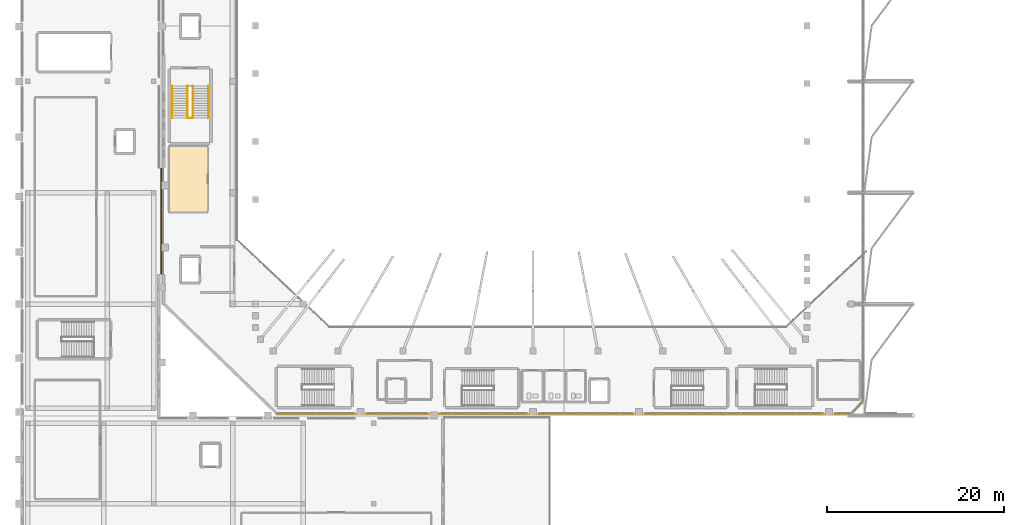
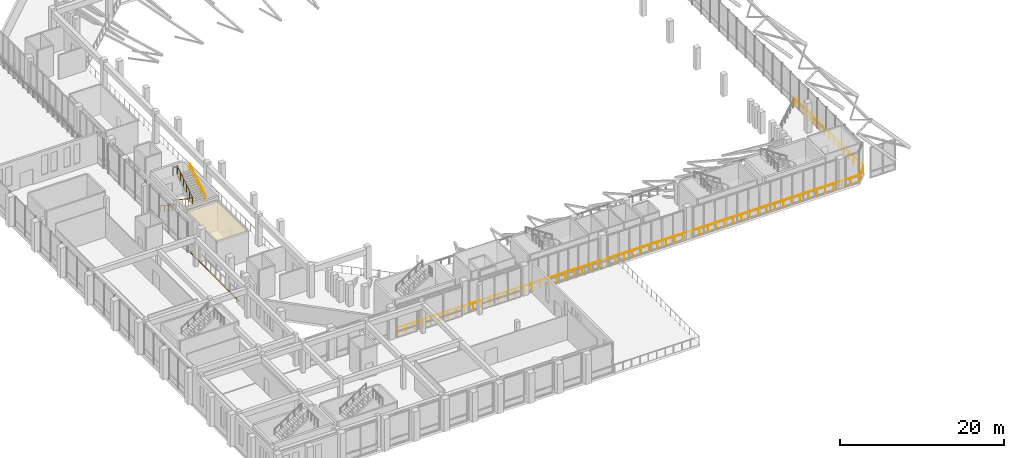
# One storey, part 72 of 79: 4 railings, 2 coverings.
"""IFC4 building model written with IfcOpenShell, lengths in metres."""

from ifc_helpers import new_model, si_unit, derived_unit, direction, frame, origin, origin_2d, place, context, subcontext, project, spatial, polyline, circle, outline, extrude, material, layer, layer_set, type_object, element, save


model = new_model("IFC4")

# Units and contexts
model_context = context("Model", 3, precision=1e-05, world=origin(), true_north=direction((0.0, 1.0)))
body_context = subcontext(model_context, "Body", "Model", "MODEL_VIEW")
ifc_project = project(units=[si_unit("LENGTHUNIT", "METRE"), si_unit("AREAUNIT", "SQUARE_METRE"), si_unit("VOLUMEUNIT", "CUBIC_METRE"), si_unit("PLANEANGLEUNIT", "RADIAN"), si_unit("MASSUNIT", "GRAM", prefix="KILO"), derived_unit("THERMALTRANSMITTANCEUNIT", [(si_unit("MASSUNIT", "GRAM", prefix="KILO"), 1), (si_unit("TIMEUNIT", "SECOND"), -3), (si_unit("THERMODYNAMICTEMPERATUREUNIT", "KELVIN"), -1)])], contexts=[model_context])

# Site, building, storey
site_placement = place(None, origin())
site = spatial("IfcSite", under=ifc_project, at=site_placement, CompositionType="ELEMENT")
building_placement = place(site_placement, origin())
building = spatial("IfcBuilding", under=site, at=building_placement, Name="Valcora Ridge Arena", CompositionType="ELEMENT")
storey_placement = place(building_placement, frame((0.0, 0.0, 16.199951171875)))
storey = spatial("IfcBuildingStorey", under=building, at=storey_placement, Name="L03", CompositionType="ELEMENT", Elevation=16.199951171875)

# Coverings
ifc_material_1 = material(Name="Perforated mineral-wool acoustic ceiling baffle tile")
ifc_layer_1 = layer(ifc_material_1, 0.0400390625, Name="Perforated mineral-wool acoustic ceiling baffle tile")
ifc_layer_set_1 = layer_set([ifc_layer_1], Name="Perforated mineral-wool acoustic ceiling baffle tile")
covering_type_1 = type_object("IfcCoveringType", Name="TY-COVERING-CLG-ACOUSTIC-600", PredefinedType="CEILING", material=ifc_layer_set_1)
covering_1_placement = place(storey_placement, frame((0.0, 0.0, 4.090087890625)))
element("IfcCovering", 1, at=covering_1_placement, inside=storey, type_object=covering_type_1, Name="CLG-ACOUSTIC-600 COV-CL-0005", PredefinedType="CEILING", context=body_context, shape_type="SweptSolid", body=[
    extrude(outline(polyline([(16.800048828125, 43.0), (21.199951171875, 43.0), (21.199951171875, 50.5), (16.800048828125, 50.5), (16.800048828125, 43.0)])), origin(), (0.0, 0.0, 1.0), 0.0400390625),
])
ifc_material_2 = material(Name="Steel ASTM A572 Grade 50", Category="steel")
ifc_layer_2 = layer(ifc_material_2, 0.02001953125, Name="Steel ASTM A572 Grade 50")
ifc_layer_set_2 = layer_set([ifc_layer_2], Name="Steel ASTM A572 Grade 50")
covering_type_2 = type_object("IfcCoveringType", Name="TY-COVERING-COV-SJ-150", PredefinedType="FLOORING", material=ifc_layer_set_2)
covering_2_placement = place(storey_placement, frame((0.0, 0.0, -0.02001953125)))
element("IfcCovering", 2, at=covering_2_placement, inside=storey, type_object=covering_type_2, Name="COV-SJ-150 COV-SJ-0008", PredefinedType="FLOORING", context=body_context, shape_type="SweptSolid", body=[
    extrude(outline(polyline([(15.85009765625, 36.0), (16.0, 36.0), (16.0, 48.0), (15.85009765625, 48.0), (15.85009765625, 36.0)])), origin(), (0.0, 0.0, 1.0), 0.02001953125),
])

# Railings
ifc_material_3 = material(Name="Galvanized painted steel ASTM A500 Grade B", Category="steel")
railing_type_1 = type_object("IfcRailingType", Name="TY-RAILING-GRD-STAIR-1120", PredefinedType="GUARDRAIL", material=ifc_material_3)
railing_1_placement = place(storey_placement, frame((18.89990234375, 57.2900390625, 0.0)))
element("IfcRailing", 3, at=railing_1_placement, inside=storey, type_object=railing_type_1, Name="GRD-STAIR-1120 RAL-SG-0053", PredefinedType="GUARDRAIL", context=body_context, shape_type="SweptSolid", body=[
    extrude(circle(Radius=0.02392578125, at=origin_2d()), frame((0.0, 0.0, 1.09619140625), z_axis=(0.0, -0.834856447115, 0.55046772177), x_axis=(1.0, 0.0, 0.0)), (0.0, 0.0, 1.0), 4.360107421875),
    extrude(circle(Radius=0.02392578125, at=origin_2d()), frame((0.0, -3.64013671875, 3.49609375), z_axis=(1.0, 0.0, 0.0), x_axis=(0.0, 1.0, 0.0)), (0.0, 0.0, 1.0), 0.60009765625),
    extrude(circle(Radius=0.02392578125, at=origin_2d()), frame((0.60009765625, -3.64013671875, 3.49609375), z_axis=(0.0, 0.83488217925, 0.55042869363), x_axis=(-1.0, 0.0, 0.0)), (0.0, 0.0, 1.0), 4.360107421875),
    extrude(circle(Radius=0.02099609375, at=origin_2d()), origin(), (0.0, 0.0, 1.0), 1.072021484375),
    extrude(circle(Radius=0.02099609375, at=origin_2d()), frame((0.0, -0.72802734375, 0.47998046875)), (0.0, 0.0, 1.0), 1.072021484375),
    extrude(circle(Radius=0.02099609375, at=origin_2d()), frame((0.0, -1.4560546875, 0.9599609375)), (0.0, 0.0, 1.0), 1.072021484375),
    extrude(circle(Radius=0.02099609375, at=origin_2d()), frame((0.0, -2.18408203125, 1.440185546875)), (0.0, 0.0, 1.0), 1.072021484375),
    extrude(circle(Radius=0.02099609375, at=origin_2d()), frame((0.0, -2.912109375, 1.920166015625)), (0.0, 0.0, 1.0), 1.072021484375),
    extrude(circle(Radius=0.02099609375, at=origin_2d()), frame((0.0, -3.64013671875, 2.400146484375)), (0.0, 0.0, 1.0), 1.072021484375),
    extrude(circle(Radius=0.02099609375, at=origin_2d()), frame((0.60009765625, -3.64013671875, 2.400146484375)), (0.0, 0.0, 1.0), 1.072021484375),
    extrude(circle(Radius=0.02099609375, at=origin_2d()), frame((0.60009765625, -2.912109375, 2.880126953125)), (0.0, 0.0, 1.0), 1.072021484375),
    extrude(circle(Radius=0.02099609375, at=origin_2d()), frame((0.60009765625, -2.18408203125, 3.360107421875)), (0.0, 0.0, 1.0), 1.072021484375),
    extrude(circle(Radius=0.02099609375, at=origin_2d()), frame((0.60009765625, -1.4560546875, 3.840087890625)), (0.0, 0.0, 1.0), 1.072021484375),
    extrude(circle(Radius=0.02099609375, at=origin_2d()), frame((0.60009765625, -0.72802734375, 4.320068359375)), (0.0, 0.0, 1.0), 1.072021484375),
    extrude(circle(Radius=0.02099609375, at=origin_2d()), frame((0.60009765625, 0.0, 4.800048828125)), (0.0, 0.0, 1.0), 1.072021484375),
])
railing_type_2 = type_object("IfcRailingType", Name="TY-RAILING-GRD-VOID-1120", PredefinedType="GUARDRAIL", material=ifc_material_3)
railing_2_placement = place(storey_placement, frame((95.3798828125, 38.030029296875, 0.0)))
element("IfcRailing", 4, at=railing_2_placement, inside=storey, type_object=railing_type_2, Name="GRD-VOID-1120 RAL-DK-0010", PredefinedType="GUARDRAIL", context=body_context, shape_type="SweptSolid", body=[
    extrude(circle(Radius=0.02392578125, at=origin_2d()), frame((0.0, 0.0, 1.09619140625), z_axis=(0.0, -1.0, 0.0), x_axis=(1.0, 0.0, 0.0)), (0.0, 0.0, 1.0), 16.525390625),
    extrude(circle(Radius=0.02392578125, at=origin_2d()), frame((0.0, -16.525390625, 1.09619140625), z_axis=(-0.718065788084, -0.695975232306, 0.0), x_axis=(0.695975232306, -0.718065788084, 0.0)), (0.0, 0.0, 1.0), 1.9892578125),
    extrude(circle(Radius=0.02392578125, at=origin_2d()), frame((-1.428466796875, -17.909912109375, 1.09619140625), z_axis=(-1.0, 0.0, 0.0), x_axis=(0.0, -1.0, 0.0)), (0.0, 0.0, 1.0), 64.90283203125),
    extrude(circle(Radius=0.02099609375, at=origin_2d()), origin(), (0.0, 0.0, 1.0), 1.072021484375),
    extrude(circle(Radius=0.02099609375, at=origin_2d()), frame((0.0, -1.180419921875, 0.0)), (0.0, 0.0, 1.0), 1.072021484375),
    extrude(circle(Radius=0.02099609375, at=origin_2d()), frame((0.0, -2.36083984375, 0.0)), (0.0, 0.0, 1.0), 1.072021484375),
    extrude(circle(Radius=0.02099609375, at=origin_2d()), frame((0.0, -3.541259765625, 0.0)), (0.0, 0.0, 1.0), 1.072021484375),
    extrude(circle(Radius=0.02099609375, at=origin_2d()), frame((0.0, -4.721435546875, 0.0)), (0.0, 0.0, 1.0), 1.072021484375),
    extrude(circle(Radius=0.02099609375, at=origin_2d()), frame((0.0, -5.90185546875, 0.0)), (0.0, 0.0, 1.0), 1.072021484375),
    extrude(circle(Radius=0.02099609375, at=origin_2d()), frame((0.0, -7.082275390625, 0.0)), (0.0, 0.0, 1.0), 1.072021484375),
    extrude(circle(Radius=0.02099609375, at=origin_2d()), frame((0.0, -8.2626953125, 0.0)), (0.0, 0.0, 1.0), 1.072021484375),
    extrude(circle(Radius=0.02099609375, at=origin_2d()), frame((0.0, -9.443115234375, 0.0)), (0.0, 0.0, 1.0), 1.072021484375),
    extrude(circle(Radius=0.02099609375, at=origin_2d()), frame((0.0, -10.62353515625, 0.0)), (0.0, 0.0, 1.0), 1.072021484375),
    extrude(circle(Radius=0.02099609375, at=origin_2d()), frame((0.0, -11.803955078125, 0.0)), (0.0, 0.0, 1.0), 1.072021484375),
    extrude(circle(Radius=0.02099609375, at=origin_2d()), frame((0.0, -12.984130859375, 0.0)), (0.0, 0.0, 1.0), 1.072021484375),
    extrude(circle(Radius=0.02099609375, at=origin_2d()), frame((0.0, -14.16455078125, 0.0)), (0.0, 0.0, 1.0), 1.072021484375),
    extrude(circle(Radius=0.02099609375, at=origin_2d()), frame((0.0, -15.344970703125, 0.0)), (0.0, 0.0, 1.0), 1.072021484375),
    extrude(circle(Radius=0.02099609375, at=origin_2d()), frame((0.0, -16.525390625, 0.0)), (0.0, 0.0, 1.0), 1.072021484375),
    extrude(circle(Radius=0.02099609375, at=origin_2d()), frame((-0.71435546875, -17.2177734375, 0.0)), (0.0, 0.0, 1.0), 1.072021484375),
    extrude(circle(Radius=0.02099609375, at=origin_2d()), frame((-1.428466796875, -17.909912109375, 0.0)), (0.0, 0.0, 1.0), 1.072021484375),
    extrude(circle(Radius=0.02099609375, at=origin_2d()), frame((-2.6083984375, -17.909912109375, 0.0)), (0.0, 0.0, 1.0), 1.072021484375),
    extrude(circle(Radius=0.02099609375, at=origin_2d()), frame((-3.78857421875, -17.909912109375, 0.0)), (0.0, 0.0, 1.0), 1.072021484375),
    extrude(circle(Radius=0.02099609375, at=origin_2d()), frame((-4.968505859375, -17.909912109375, 0.0)), (0.0, 0.0, 1.0), 1.072021484375),
    extrude(circle(Radius=0.02099609375, at=origin_2d()), frame((-6.148681640625, -17.909912109375, 0.0)), (0.0, 0.0, 1.0), 1.072021484375),
    extrude(circle(Radius=0.02099609375, at=origin_2d()), frame((-7.32861328125, -17.909912109375, 0.0)), (0.0, 0.0, 1.0), 1.072021484375),
    extrude(circle(Radius=0.02099609375, at=origin_2d()), frame((-8.5087890625, -17.909912109375, 0.0)), (0.0, 0.0, 1.0), 1.072021484375),
    extrude(circle(Radius=0.02099609375, at=origin_2d()), frame((-9.688720703125, -17.909912109375, 0.0)), (0.0, 0.0, 1.0), 1.072021484375),
    extrude(circle(Radius=0.02099609375, at=origin_2d()), frame((-10.868896484375, -17.909912109375, 0.0)), (0.0, 0.0, 1.0), 1.072021484375),
    extrude(circle(Radius=0.02099609375, at=origin_2d()), frame((-12.048828125, -17.909912109375, 0.0)), (0.0, 0.0, 1.0), 1.072021484375),
    extrude(circle(Radius=0.02099609375, at=origin_2d()), frame((-13.22900390625, -17.909912109375, 0.0)), (0.0, 0.0, 1.0), 1.072021484375),
    extrude(circle(Radius=0.02099609375, at=origin_2d()), frame((-14.408935546875, -17.909912109375, 0.0)), (0.0, 0.0, 1.0), 1.072021484375),
    extrude(circle(Radius=0.02099609375, at=origin_2d()), frame((-15.589111328125, -17.909912109375, 0.0)), (0.0, 0.0, 1.0), 1.072021484375),
    extrude(circle(Radius=0.02099609375, at=origin_2d()), frame((-16.76904296875, -17.909912109375, 0.0)), (0.0, 0.0, 1.0), 1.072021484375),
    extrude(circle(Radius=0.02099609375, at=origin_2d()), frame((-17.94921875, -17.909912109375, 0.0)), (0.0, 0.0, 1.0), 1.072021484375),
    extrude(circle(Radius=0.02099609375, at=origin_2d()), frame((-19.129150390625, -17.909912109375, 0.0)), (0.0, 0.0, 1.0), 1.072021484375),
    extrude(circle(Radius=0.02099609375, at=origin_2d()), frame((-20.309326171875, -17.909912109375, 0.0)), (0.0, 0.0, 1.0), 1.072021484375),
    extrude(circle(Radius=0.02099609375, at=origin_2d()), frame((-21.4892578125, -17.909912109375, 0.0)), (0.0, 0.0, 1.0), 1.072021484375),
    extrude(circle(Radius=0.02099609375, at=origin_2d()), frame((-22.66943359375, -17.909912109375, 0.0)), (0.0, 0.0, 1.0), 1.072021484375),
    extrude(circle(Radius=0.02099609375, at=origin_2d()), frame((-23.849365234375, -17.909912109375, 0.0)), (0.0, 0.0, 1.0), 1.072021484375),
    extrude(circle(Radius=0.02099609375, at=origin_2d()), frame((-25.029541015625, -17.909912109375, 0.0)), (0.0, 0.0, 1.0), 1.072021484375),
    extrude(circle(Radius=0.02099609375, at=origin_2d()), frame((-26.20947265625, -17.909912109375, 0.0)), (0.0, 0.0, 1.0), 1.072021484375),
    extrude(circle(Radius=0.02099609375, at=origin_2d()), frame((-27.3896484375, -17.909912109375, 0.0)), (0.0, 0.0, 1.0), 1.072021484375),
    extrude(circle(Radius=0.02099609375, at=origin_2d()), frame((-28.569580078125, -17.909912109375, 0.0)), (0.0, 0.0, 1.0), 1.072021484375),
    extrude(circle(Radius=0.02099609375, at=origin_2d()), frame((-29.749755859375, -17.909912109375, 0.0)), (0.0, 0.0, 1.0), 1.072021484375),
    extrude(circle(Radius=0.02099609375, at=origin_2d()), frame((-30.9296875, -17.909912109375, 0.0)), (0.0, 0.0, 1.0), 1.072021484375),
    extrude(circle(Radius=0.02099609375, at=origin_2d()), frame((-32.10986328125, -17.909912109375, 0.0)), (0.0, 0.0, 1.0), 1.072021484375),
    extrude(circle(Radius=0.02099609375, at=origin_2d()), frame((-33.289794921875, -17.909912109375, 0.0)), (0.0, 0.0, 1.0), 1.072021484375),
    extrude(circle(Radius=0.02099609375, at=origin_2d()), frame((-34.469970703125, -17.909912109375, 0.0)), (0.0, 0.0, 1.0), 1.072021484375),
    extrude(circle(Radius=0.02099609375, at=origin_2d()), frame((-35.64990234375, -17.909912109375, 0.0)), (0.0, 0.0, 1.0), 1.072021484375),
    extrude(circle(Radius=0.02099609375, at=origin_2d()), frame((-36.830078125, -17.909912109375, 0.0)), (0.0, 0.0, 1.0), 1.072021484375),
    extrude(circle(Radius=0.02099609375, at=origin_2d()), frame((-38.010009765625, -17.909912109375, 0.0)), (0.0, 0.0, 1.0), 1.072021484375),
    extrude(circle(Radius=0.02099609375, at=origin_2d()), frame((-39.190185546875, -17.909912109375, 0.0)), (0.0, 0.0, 1.0), 1.072021484375),
    extrude(circle(Radius=0.02099609375, at=origin_2d()), frame((-40.3701171875, -17.909912109375, 0.0)), (0.0, 0.0, 1.0), 1.072021484375),
    extrude(circle(Radius=0.02099609375, at=origin_2d()), frame((-41.55029296875, -17.909912109375, 0.0)), (0.0, 0.0, 1.0), 1.072021484375),
    extrude(circle(Radius=0.02099609375, at=origin_2d()), frame((-42.730224609375, -17.909912109375, 0.0)), (0.0, 0.0, 1.0), 1.072021484375),
    extrude(circle(Radius=0.02099609375, at=origin_2d()), frame((-43.910400390625, -17.909912109375, 0.0)), (0.0, 0.0, 1.0), 1.072021484375),
    extrude(circle(Radius=0.02099609375, at=origin_2d()), frame((-45.09033203125, -17.909912109375, 0.0)), (0.0, 0.0, 1.0), 1.072021484375),
    extrude(circle(Radius=0.02099609375, at=origin_2d()), frame((-46.2705078125, -17.909912109375, 0.0)), (0.0, 0.0, 1.0), 1.072021484375),
    extrude(circle(Radius=0.02099609375, at=origin_2d()), frame((-47.450439453125, -17.909912109375, 0.0)), (0.0, 0.0, 1.0), 1.072021484375),
    extrude(circle(Radius=0.02099609375, at=origin_2d()), frame((-48.630615234375, -17.909912109375, 0.0)), (0.0, 0.0, 1.0), 1.072021484375),
    extrude(circle(Radius=0.02099609375, at=origin_2d()), frame((-49.810546875, -17.909912109375, 0.0)), (0.0, 0.0, 1.0), 1.072021484375),
    extrude(circle(Radius=0.02099609375, at=origin_2d()), frame((-50.99072265625, -17.909912109375, 0.0)), (0.0, 0.0, 1.0), 1.072021484375),
    extrude(circle(Radius=0.02099609375, at=origin_2d()), frame((-52.170654296875, -17.909912109375, 0.0)), (0.0, 0.0, 1.0), 1.072021484375),
    extrude(circle(Radius=0.02099609375, at=origin_2d()), frame((-53.350830078125, -17.909912109375, 0.0)), (0.0, 0.0, 1.0), 1.072021484375),
    extrude(circle(Radius=0.02099609375, at=origin_2d()), frame((-54.53076171875, -17.909912109375, 0.0)), (0.0, 0.0, 1.0), 1.072021484375),
    extrude(circle(Radius=0.02099609375, at=origin_2d()), frame((-55.7109375, -17.909912109375, 0.0)), (0.0, 0.0, 1.0), 1.072021484375),
    extrude(circle(Radius=0.02099609375, at=origin_2d()), frame((-56.890869140625, -17.909912109375, 0.0)), (0.0, 0.0, 1.0), 1.072021484375),
    extrude(circle(Radius=0.02099609375, at=origin_2d()), frame((-58.071044921875, -17.909912109375, 0.0)), (0.0, 0.0, 1.0), 1.072021484375),
    extrude(circle(Radius=0.02099609375, at=origin_2d()), frame((-59.2509765625, -17.909912109375, 0.0)), (0.0, 0.0, 1.0), 1.072021484375),
    extrude(circle(Radius=0.02099609375, at=origin_2d()), frame((-60.43115234375, -17.909912109375, 0.0)), (0.0, 0.0, 1.0), 1.072021484375),
    extrude(circle(Radius=0.02099609375, at=origin_2d()), frame((-61.611083984375, -17.909912109375, 0.0)), (0.0, 0.0, 1.0), 1.072021484375),
    extrude(circle(Radius=0.02099609375, at=origin_2d()), frame((-62.791259765625, -17.909912109375, 0.0)), (0.0, 0.0, 1.0), 1.072021484375),
    extrude(circle(Radius=0.02099609375, at=origin_2d()), frame((-63.97119140625, -17.909912109375, 0.0)), (0.0, 0.0, 1.0), 1.072021484375),
    extrude(circle(Radius=0.02099609375, at=origin_2d()), frame((-65.1513671875, -17.909912109375, 0.0)), (0.0, 0.0, 1.0), 1.072021484375),
    extrude(circle(Radius=0.02099609375, at=origin_2d()), frame((-66.331298828125, -17.909912109375, 0.0)), (0.0, 0.0, 1.0), 1.072021484375),
])
railing_type_3 = type_object("IfcRailingType", Name="TY-RAILING-HR-STAIR-900", PredefinedType="HANDRAIL", material=ifc_material_3)
railing_3_placement = place(storey_placement, frame((17.139892578125, 57.2900390625, 0.0)))
element("IfcRailing", 5, at=railing_3_placement, inside=storey, type_object=railing_type_3, Name="HR-STAIR-900 RAL-SH-0053", PredefinedType="HANDRAIL", context=body_context, shape_type="SweptSolid", body=[
    extrude(circle(Radius=0.02392578125, at=origin_2d()), frame((0.0, 0.0, 0.8759765625), z_axis=(0.0, -0.834856447115, 0.55046772177), x_axis=(1.0, 0.0, 0.0)), (0.0, 0.0, 1.0), 4.360107421875),
    extrude(circle(Radius=0.02099609375, at=origin_2d()), origin(), (0.0, 0.0, 1.0), 0.851806640625),
    extrude(circle(Radius=0.02099609375, at=origin_2d()), frame((0.0, -0.91015625, 0.60009765625)), (0.0, 0.0, 1.0), 0.851806640625),
    extrude(circle(Radius=0.02099609375, at=origin_2d()), frame((0.0, -1.820068359375, 1.2001953125)), (0.0, 0.0, 1.0), 0.851806640625),
    extrude(circle(Radius=0.02099609375, at=origin_2d()), frame((0.0, -2.72998046875, 1.800048828125)), (0.0, 0.0, 1.0), 0.851806640625),
    extrude(circle(Radius=0.02099609375, at=origin_2d()), frame((0.0, -3.64013671875, 2.400146484375)), (0.0, 0.0, 1.0), 0.851806640625),
])
railing_4_placement = place(storey_placement, frame((21.260009765625, 53.64990234375, 2.400146484375)))
element("IfcRailing", 6, at=railing_4_placement, inside=storey, type_object=railing_type_3, Name="HR-STAIR-900 RAL-SH-0054", PredefinedType="HANDRAIL", context=body_context, shape_type="SweptSolid", body=[
    extrude(circle(Radius=0.02392578125, at=origin_2d()), frame((0.0, 0.0, 0.8759765625), z_axis=(0.0, 0.83488217925, 0.55042869363), x_axis=(-1.0, 0.0, 0.0)), (0.0, 0.0, 1.0), 4.360107421875),
    extrude(circle(Radius=0.02099609375, at=origin_2d()), origin(), (0.0, 0.0, 1.0), 0.851806640625),
    extrude(circle(Radius=0.02099609375, at=origin_2d()), frame((0.0, 0.91015625, 0.60009765625)), (0.0, 0.0, 1.0), 0.851806640625),
    extrude(circle(Radius=0.02099609375, at=origin_2d()), frame((0.0, 1.820068359375, 1.199951171875)), (0.0, 0.0, 1.0), 0.851806640625),
    extrude(circle(Radius=0.02099609375, at=origin_2d()), frame((0.0, 2.72998046875, 1.7998046875)), (0.0, 0.0, 1.0), 0.851806640625),
    extrude(circle(Radius=0.02099609375, at=origin_2d()), frame((0.0, 3.64013671875, 2.39990234375)), (0.0, 0.0, 1.0), 0.851806640625),
])

save(model, "model.ifc")
